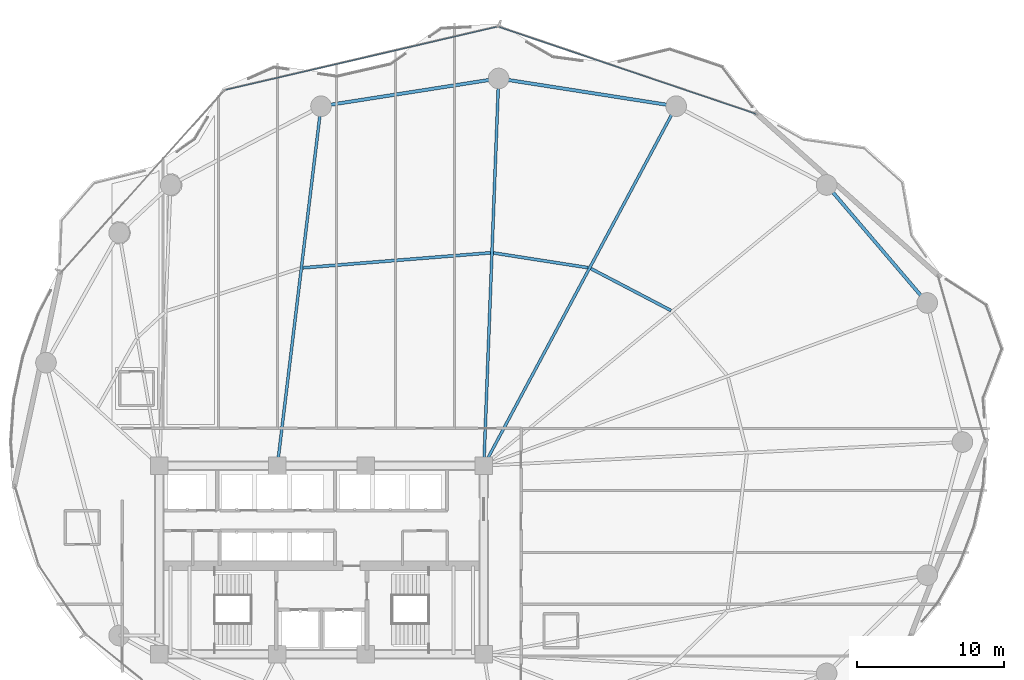
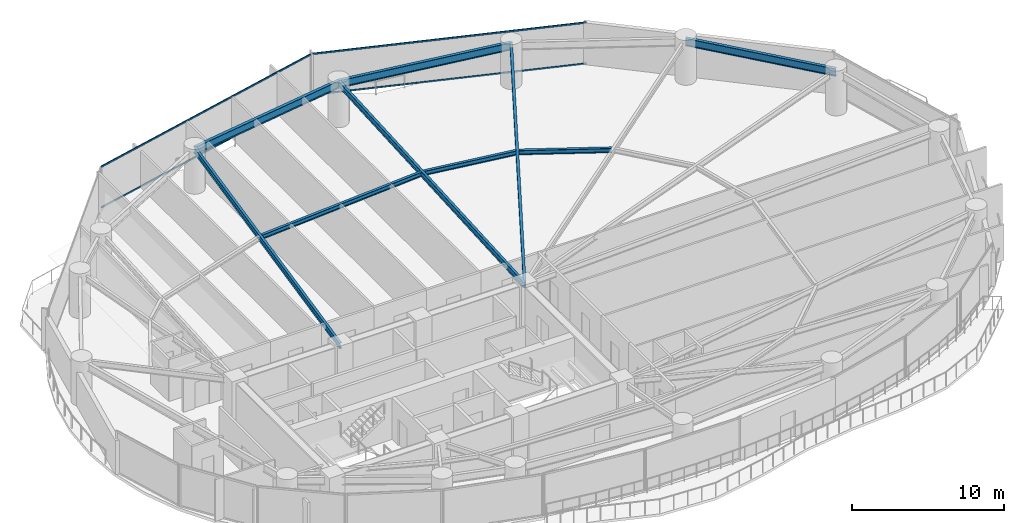
# One storey, part 20 of 31: 9 beams, 4 members, 2 elements without a shape of their own.
"""IFC4 building model written with IfcOpenShell, lengths in metres."""

from ifc_helpers import new_model, si_unit, direction, frame, origin, origin_2d, place, context, subcontext, project, spatial, hollow_rectangle, i_section, extrude, material, layer, layer_set, material_profile, profile_set, type_object, element, aggregate, save


model = new_model("IFC4")

# Units and contexts
model_context = context("Model", 3, precision=1e-05, world=origin(), true_north=direction((0.0, 1.0)))
body_context = subcontext(model_context, "Body", "Model", "MODEL_VIEW")
ifc_project = project(units=[si_unit("LENGTHUNIT", "METRE"), si_unit("AREAUNIT", "SQUARE_METRE"), si_unit("VOLUMEUNIT", "CUBIC_METRE"), si_unit("PLANEANGLEUNIT", "RADIAN"), si_unit("MASSUNIT", "GRAM", prefix="KILO")], contexts=[model_context])

# Site, building, storey
site_placement = place(None, origin())
site = spatial("IfcSite", under=ifc_project, at=site_placement, CompositionType="ELEMENT")
building_placement = place(site_placement, origin())
building = spatial("IfcBuilding", under=site, at=building_placement, Name="Kazevale Care Tower and Concert Hall", CompositionType="ELEMENT")
storey_placement = place(building_placement, frame((0.0, 0.0, 81.60009765625)))
storey = spatial("IfcBuildingStorey", under=building, at=storey_placement, Name="L21", CompositionType="ELEMENT", Elevation=81.60009765625)

# Curtain wall, members
ifc_material_1 = material(Name="Aluminium 6063-T6 and Low-E Glass", Category="aluminium")
ifc_layer_1 = layer(ifc_material_1, 0.179931640625)
ifc_layer_set_1 = layer_set([ifc_layer_1], Name="Aluminium 6063-T6 and Low-E Glass")
curtain_wall_type_1 = type_object("IfcCurtainWallType", Name="Convex Checkerboard Finned Curtain Wall CW-2", PredefinedType="NOTDEFINED", material=ifc_layer_set_1)
curtain_wall_1_placement = place(storey_placement, origin())
curtain_wall_1 = element("IfcCurtainWall", 1, at=curtain_wall_1_placement, inside=storey, type_object=curtain_wall_type_1, Name="cw:L21:f16", PredefinedType="NOTDEFINED")
ifc_material_2 = material(Name="Aluminium 6063-T6", Category="aluminium")
ifc_material_profile_1 = material_profile(ifc_material_2, hollow_rectangle(XDim=0.074951171875, YDim=0.1201171875, WallThickness=0.00390625, at=origin_2d()), Name="ALU75x120x4")
ifc_profile_set_1 = profile_set([ifc_material_profile_1], Name="Aluminium 6063-T6")
member_type_1 = type_object("IfcMemberType", Name="CW-2 Transom ALU75x120x4", PredefinedType="USERDEFINED", material=ifc_profile_set_1)
member_1_placement = place(storey_placement, frame((45.03173828125, 66.142333984375, 0.037353515625), z_axis=(0.947204752806, -0.320629312855, 0.0), x_axis=(0.320629312855, 0.947204752806, 0.0)))
member_1 = element("IfcMember", 2, at=member_1_placement, type_object=member_type_1, Name="CW-2 transom 1.1", ObjectType="TRANSOM", PredefinedType="USERDEFINED", context=body_context, shape_type="SweptSolid", body=[
    extrude(hollow_rectangle(XDim=0.074951171875, YDim=0.1201171875, WallThickness=0.00390625, at=origin_2d()), origin(), (0.0, 0.0, 1.0), 18.40625),
])
member_2_placement = place(storey_placement, frame((45.03173828125, 66.142333984375, 3.322509765625), z_axis=(0.947204752806, -0.320629312855, 0.0), x_axis=(0.320629312855, 0.947204752806, 0.0)))
member_2 = element("IfcMember", 3, at=member_2_placement, type_object=member_type_1, Name="CW-2 transom 1.2", ObjectType="TRANSOM", PredefinedType="USERDEFINED", context=body_context, shape_type="SweptSolid", body=[
    extrude(hollow_rectangle(XDim=0.074951171875, YDim=0.1201171875, WallThickness=0.00390625, at=origin_2d()), origin(), (0.0, 0.0, 1.0), 18.40625),
])
aggregate(curtain_wall_1, [member_1, member_2])

ifc_layer_2 = layer(ifc_material_1, 0.179931640625)
ifc_layer_set_2 = layer_set([ifc_layer_2], Name="Aluminium 6063-T6 and Low-E Glass")
curtain_wall_type_2 = type_object("IfcCurtainWallType", Name="Convex Recessed Sunroom Curtain Wall CW-3", PredefinedType="NOTDEFINED", material=ifc_layer_set_2)
curtain_wall_2_placement = place(storey_placement, origin())
curtain_wall_2 = element("IfcCurtainWall", 4, at=curtain_wall_2_placement, inside=storey, type_object=curtain_wall_type_2, Name="cw:L21:f15", PredefinedType="NOTDEFINED")
ifc_material_profile_2 = material_profile(ifc_material_2, hollow_rectangle(XDim=0.074951171875, YDim=0.1201171875, WallThickness=0.00390625, at=origin_2d()), Name="ALU75x120x4")
ifc_profile_set_2 = profile_set([ifc_material_profile_2], Name="Aluminium 6063-T6")
member_type_2 = type_object("IfcMemberType", Name="CW-3 Transom ALU75x120x4", PredefinedType="USERDEFINED", material=ifc_profile_set_2)
member_3_placement = place(storey_placement, frame((26.498046875, 61.8798828125, 0.037353515625), z_axis=(0.974058773015, 0.226295176069, 0.0), x_axis=(-0.226295176069, 0.974058773015, 0.0)))
member_3 = element("IfcMember", 5, at=member_3_placement, type_object=member_type_2, Name="CW-3 transom 1.1", ObjectType="TRANSOM", PredefinedType="USERDEFINED", context=body_context, shape_type="SweptSolid", body=[
    extrude(hollow_rectangle(XDim=0.074951171875, YDim=0.1201171875, WallThickness=0.00390625, at=origin_2d()), origin(), (0.0, 0.0, 1.0), 18.874755859375),
])
member_4_placement = place(storey_placement, frame((26.498046875, 61.8798828125, 3.322509765625), z_axis=(0.974058773015, 0.226295176069, 0.0), x_axis=(-0.226295176069, 0.974058773015, 0.0)))
member_4 = element("IfcMember", 6, at=member_4_placement, type_object=member_type_2, Name="CW-3 transom 1.2", ObjectType="TRANSOM", PredefinedType="USERDEFINED", context=body_context, shape_type="SweptSolid", body=[
    extrude(hollow_rectangle(XDim=0.074951171875, YDim=0.1201171875, WallThickness=0.00390625, at=origin_2d()), origin(), (0.0, 0.0, 1.0), 18.874755859375),
])
aggregate(curtain_wall_2, [member_3, member_4])

# Beams
ifc_material_3 = material(Name="Steel ASTM A572 Gr 50", Category="steel")
ifc_material_profile_3 = material_profile(ifc_material_3, i_section(OverallWidth=0.19091796875, OverallDepth=0.4599609375, WebThickness=0.010009765625, FlangeThickness=0.01611328125, at=origin_2d()), Name="W460x82")
ifc_profile_set_3 = profile_set([ifc_material_profile_3], Name="Steel ASTM A572 Gr 50")
beam_type_1 = type_object("IfcBeamType", Name="Radial Floor Beam W460x82", PredefinedType="BEAM", material=ifc_profile_set_3)
beam_1_placement = place(storey_placement, frame((44.0, 36.39990234375, 3.1298828125), z_axis=(0.471788966953, 0.88171150081, 0.0), x_axis=(-0.88171150081, 0.471788966953, 0.0)))
element("IfcBeam", 7, at=beam_1_placement, inside=storey, type_object=beam_type_1, Name="beam:L21:rad:04", PredefinedType="BEAM", context=body_context, shape_type="SweptSolid", body=[
    extrude(i_section(OverallWidth=0.19091796875, OverallDepth=0.4599609375, WebThickness=0.010009765625, FlangeThickness=0.01611328125, at=origin_2d()), origin(), (0.0, 0.0, 1.0), 27.6396484375),
])
beam_2_placement = place(storey_placement, frame((44.0, 36.39990234375, 3.1298828125), z_axis=(0.038067625343, 0.999275165258, 0.0), x_axis=(-0.999275165258, 0.038067625343, 0.0)))
element("IfcBeam", 8, at=beam_2_placement, inside=storey, type_object=beam_type_1, Name="beam:L21:rad:05", PredefinedType="BEAM", context=body_context, shape_type="SweptSolid", body=[
    extrude(i_section(OverallWidth=0.19091796875, OverallDepth=0.4599609375, WebThickness=0.010009765625, FlangeThickness=0.01611328125, at=origin_2d()), origin(), (0.0, 0.0, 1.0), 26.26904296875),
])
beam_3_placement = place(storey_placement, frame((30.0, 36.39990234375, 3.1298828125), z_axis=(0.120572526662, 0.9927045209, 0.0), x_axis=(-0.9927045209, 0.120572526662, 0.0)))
element("IfcBeam", 9, at=beam_3_placement, inside=storey, type_object=beam_type_1, Name="beam:L21:rad:06", PredefinedType="BEAM", context=body_context, shape_type="SweptSolid", body=[
    extrude(i_section(OverallWidth=0.19091796875, OverallDepth=0.4599609375, WebThickness=0.010009765625, FlangeThickness=0.01611328125, at=origin_2d()), origin(), (0.0, 0.0, 1.0), 24.54931640625),
])
ifc_material_profile_4 = material_profile(ifc_material_3, i_section(OverallWidth=0.22900390625, OverallDepth=0.612060546875, WebThickness=0.011962890625, FlangeThickness=0.01953125, at=origin_2d()), Name="W610x125")
ifc_profile_set_4 = profile_set([ifc_material_profile_4], Name="Steel ASTM A572 Gr 50")
beam_type_2 = type_object("IfcBeamType", Name="Ring Spandrel Beam W610x125", PredefinedType="SPANDREL", material=ifc_profile_set_4)
beam_4_placement = place(storey_placement, frame((74.06005859375, 47.429931640625, 3.053955078125), z_axis=(-0.648756004283, 0.760996482848, 0.0), x_axis=(-0.760996482848, -0.648756004283, 0.0)))
element("IfcBeam", 10, at=beam_4_placement, inside=storey, type_object=beam_type_2, Name="beam:L21:ring:02", PredefinedType="SPANDREL", context=body_context, shape_type="SweptSolid", body=[
    extrude(i_section(OverallWidth=0.22900390625, OverallDepth=0.612060546875, WebThickness=0.011962890625, FlangeThickness=0.01953125, at=origin_2d()), origin(), (0.0, 0.0, 1.0), 10.512451171875),
])
for number, where, z_axis, x_axis, name in (
    (11, (57.0400390625, 60.77001953125, 3.053955078125), (-0.988029216561, 0.154266870134, 0.0), (-0.154266870134, -0.988029216561, 0.0), "beam:L21:ring:04"),
    (12, (45.0, 62.64990234375, 3.053955078125), (-0.988029216561, -0.154266870134, 0.0), (0.154266870134, -0.988029216561, 0.0), "beam:L21:ring:05"),
):
    element("IfcBeam", number, at=place(storey_placement, frame(where, z_axis=z_axis, x_axis=x_axis)), inside=storey, type_object=beam_type_2, Name=name, PredefinedType="SPANDREL", context=body_context, shape_type="SweptSolid", body=[
        extrude(i_section(OverallWidth=0.22900390625, OverallDepth=0.612060546875, WebThickness=0.011962890625, FlangeThickness=0.01953125, at=origin_2d()), origin(), (0.0, 0.0, 1.0), 12.18603515625),
    ])
ifc_material_profile_5 = material_profile(ifc_material_3, i_section(OverallWidth=0.205078125, OverallDepth=0.35400390625, WebThickness=0.009521484375, FlangeThickness=0.016845703125, at=origin_2d()), Name="W360x79")
ifc_profile_set_5 = profile_set([ifc_material_profile_5], Name="Steel ASTM A572 Gr 50")
beam_type_3 = type_object("IfcBeamType", Name="Secondary Floor Joist W360x79", PredefinedType="JOIST", material=ifc_profile_set_5)
beam_5_placement = place(storey_placement, frame((56.68896484375, 46.9150390625, 3.182861328125), z_axis=(-0.885921274797, 0.463835633454, 0.0), x_axis=(-0.463835633454, -0.885921274797, 0.0)))
element("IfcBeam", 13, at=beam_5_placement, inside=storey, type_object=beam_type_3, Name="beam:L21:joist:03", PredefinedType="JOIST", context=body_context, shape_type="SweptSolid", body=[
    extrude(i_section(OverallWidth=0.205078125, OverallDepth=0.35400390625, WebThickness=0.009521484375, FlangeThickness=0.016845703125, at=origin_2d()), origin(), (0.0, 0.0, 1.0), 6.12255859375),
])
beam_6_placement = place(storey_placement, frame((51.068115234375, 49.820068359375, 3.182861328125), z_axis=(-0.988040697826, 0.154193318403, 0.0), x_axis=(-0.154193318403, -0.988040697826, 0.0)))
element("IfcBeam", 14, at=beam_6_placement, inside=storey, type_object=beam_type_3, Name="beam:L21:joist:04", PredefinedType="JOIST", context=body_context, shape_type="SweptSolid", body=[
    extrude(i_section(OverallWidth=0.205078125, OverallDepth=0.35400390625, WebThickness=0.009521484375, FlangeThickness=0.016845703125, at=origin_2d()), origin(), (0.0, 0.0, 1.0), 6.49169921875),
])
beam_7_placement = place(storey_placement, frame((44.445068359375, 50.8291015625, 3.182861328125), z_axis=(-0.996814548036, -0.079754353015, 0.0), x_axis=(0.079754353015, -0.996814548036, 0.0)))
element("IfcBeam", 15, at=beam_7_placement, inside=storey, type_object=beam_type_3, Name="beam:L21:joist:05", PredefinedType="JOIST", context=body_context, shape_type="SweptSolid", body=[
    extrude(i_section(OverallWidth=0.205078125, OverallDepth=0.35400390625, WebThickness=0.009521484375, FlangeThickness=0.016845703125, at=origin_2d()), origin(), (0.0, 0.0, 1.0), 12.752685546875),
])

save(model, "model.ifc")
